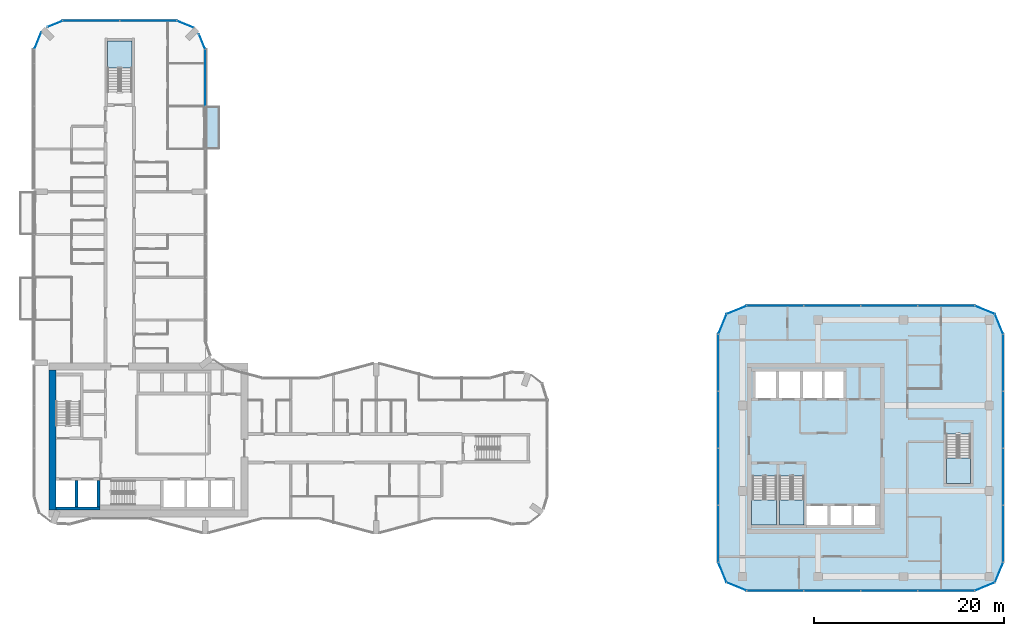
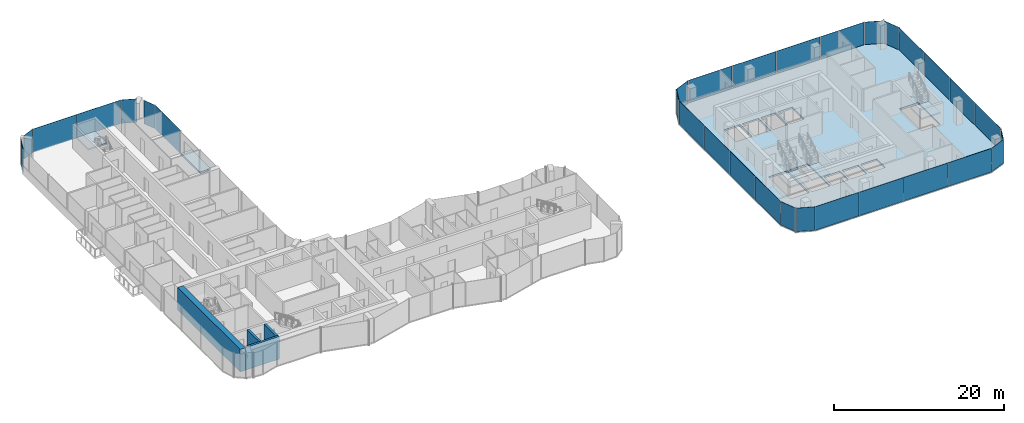
# One storey, part 13 of 24: 31 plates, 6 slabs, 4 walls, 22 elements without a shape of their own.
"""IFC4 building model written with IfcOpenShell, lengths in metres."""

import ifcopenshell
import ifcopenshell.guid

model = None  # the IFC model being written
_history = None  # IfcOwnerHistory: only IFC2X3 demands one
_inside = {}  # id of a spatial element -> (the spatial element, [elements in it])
_under = {}  # id of a project, library or spatial element -> (it, [spatial elements below it])
_declared = {}  # id of a project -> (the project, [libraries it declares])
_typed = {}  # id of a type object -> (the type object, [elements of that type])
_made_of = {}  # id of a material, layer set ... -> (it, [elements and type objects made of it])


def new_model(schema):
    """Start an empty IFC model of exactly this schema.

    Asked for "IFC4X3", IfcOpenShell would pick the latest addendum, in which some entities
    have other attributes; the version numbers below select the first issue.
    IFC2X3 requires an IfcOwnerHistory on every rooted entity: one is made here for all.
    """
    global model, _history
    if schema == "IFC4X3":
        model = ifcopenshell.file(schema_version=(4, 3, 0, 0))
    else:
        model = ifcopenshell.file(schema=schema)
    _inside.clear()
    _under.clear()
    _declared.clear()
    _typed.clear()
    _made_of.clear()
    _history = None
    if model.schema == "IFC2X3":
        org = make("IfcOrganization", Name="unknown")
        user = make(
            "IfcPersonAndOrganization",
            ThePerson=make("IfcPerson", FamilyName="unknown"),
            TheOrganization=org,
        )
        app = make(
            "IfcApplication",
            ApplicationDeveloper=org,
            Version="unknown",
            ApplicationFullName="unknown",
            ApplicationIdentifier="unknown",
        )
        _history = make(
            "IfcOwnerHistory",
            OwningUser=user,
            OwningApplication=app,
            ChangeAction="ADDED",
            CreationDate=0,
        )
    return model


def make(cls, **values):
    """One entity of the class cls with the attributes given. An attribute that is None is left unset."""
    return model.create_entity(
        cls, **{name: value for name, value in values.items() if value is not None}
    )


def rooted(cls, **values):
    """An entity with a GlobalId (a new one), such as an element, a storey or a relation."""
    return make(cls, GlobalId=ifcopenshell.guid.new(), OwnerHistory=_history, **values)


def si_unit(unit_type, name, prefix=None):
    """IfcSIUnit, for example si_unit("LENGTHUNIT", "METRE", prefix="MILLI")."""
    return make("IfcSIUnit", UnitType=unit_type, Prefix=prefix, Name=name)


def assignment(units):
    """IfcUnitAssignment: the units of a project."""
    return None if units is None else make("IfcUnitAssignment", Units=units)


def point(xyz):
    """IfcCartesianPoint."""
    return None if xyz is None else make("IfcCartesianPoint", Coordinates=xyz)


def direction(xyz):
    """IfcDirection."""
    return None if xyz is None else make("IfcDirection", DirectionRatios=xyz)


def frame(location, z_axis=None, x_axis=None):
    """IfcAxis2Placement3D, a coordinate frame: its origin and axes. An axis left out is left unset."""
    return make(
        "IfcAxis2Placement3D",
        Location=point(location),
        Axis=direction(z_axis),
        RefDirection=direction(x_axis),
    )


def frame_2d(location, x_axis=None):
    """IfcAxis2Placement2D, a coordinate frame in the plane: its origin and x axis."""
    return make(
        "IfcAxis2Placement2D", Location=point(location), RefDirection=direction(x_axis)
    )


def origin():
    """The frame at (0, 0, 0) with its axes left unset."""
    return frame((0.0, 0.0, 0.0))


def origin_2d():
    """The frame at (0, 0) in the plane with its x axis left unset."""
    return frame_2d((0.0, 0.0))


def place(relative_to, where):
    """IfcLocalPlacement: puts the frame where relative to a parent placement (None: the world)."""
    return make(
        "IfcLocalPlacement", PlacementRelTo=relative_to, RelativePlacement=where
    )


def context(
    kind, dimensions, precision=None, world=None, true_north=None, identifier=None
):
    """IfcGeometricRepresentationContext, for example the 3D "Model" context."""
    return make(
        "IfcGeometricRepresentationContext",
        ContextIdentifier=identifier,
        ContextType=kind,
        CoordinateSpaceDimension=dimensions,
        Precision=precision,
        WorldCoordinateSystem=world,
        TrueNorth=true_north,
    )


def subcontext(parent, identifier, kind, view, scale=None):
    """IfcGeometricRepresentationSubContext, for example "Body" below "Model"."""
    return make(
        "IfcGeometricRepresentationSubContext",
        ContextIdentifier=identifier,
        ContextType=kind,
        ParentContext=parent,
        TargetScale=scale,
        TargetView=view,
    )


def project(units=None, contexts=None):
    """IfcProject with its units and contexts."""
    return rooted(
        "IfcProject",
        Name="project",
        RepresentationContexts=contexts,
        UnitsInContext=assignment(units),
    )


def spatial(cls, under=None, at=None, **own):
    """A site, building, storey or space (cls), placed at a placement, below another one or the project."""
    s = rooted(cls, ObjectPlacement=at, **own)
    if under is not None:
        _under.setdefault(under.id(), (under, []))[1].append(s)
    return s


def polyline(points):
    """IfcPolyline through the points."""
    return make("IfcPolyline", Points=[point(p) for p in points])


def profile(cls, at=None, kind="AREA", **sizes):
    """A parametric profile (cls). Its sizes go by their IFC names, for example OverallWidth=200.0."""
    return make(cls, ProfileType=kind, Position=at, **sizes)


def rectangle(**sizes):
    """IfcRectangleProfileDef."""
    return profile("IfcRectangleProfileDef", **sizes)


def outline(outer, holes=None, kind="AREA"):
    """IfcArbitraryClosedProfileDef: a profile drawn as a closed curve; with holes, ...WithVoids."""
    if holes is None:
        return make("IfcArbitraryClosedProfileDef", ProfileType=kind, OuterCurve=outer)
    return make(
        "IfcArbitraryProfileDefWithVoids",
        ProfileType=kind,
        OuterCurve=outer,
        InnerCurves=holes,
    )


def extrude(swept, where, along, depth):
    """IfcExtrudedAreaSolid: the profile swept, set in the frame where, extruded along a direction by depth."""
    return make(
        "IfcExtrudedAreaSolid",
        SweptArea=swept,
        Position=where,
        ExtrudedDirection=direction(along),
        Depth=depth,
    )


def shape(context_of_items, identifier, shape_type, items):
    """IfcShapeRepresentation: the items that make up one representation, for example the "Body"."""
    return make(
        "IfcShapeRepresentation",
        ContextOfItems=context_of_items,
        RepresentationIdentifier=identifier,
        RepresentationType=shape_type,
        Items=items,
    )


def material(Name=None, Category=None):
    """IfcMaterial."""
    return make("IfcMaterial", Name=Name, Category=Category)


def layer(
    of_material, thickness, ventilated=None, Name=None, Category=None, Priority=None
):
    """IfcMaterialLayer: one layer of a wall or slab, of a material (None: an air gap)."""
    return make(
        "IfcMaterialLayer",
        Material=of_material,
        LayerThickness=thickness,
        IsVentilated=ventilated,
        Name=Name,
        Category=Category,
        Priority=Priority,
    )


def layer_set(layers, Name=None):
    """IfcMaterialLayerSet."""
    return make("IfcMaterialLayerSet", MaterialLayers=layers, LayerSetName=Name)


def made_of(thing, what):
    """Note that an element or type object is made of a material, layer set ...; save() writes the relation."""
    if what is not None:
        _made_of.setdefault(what.id(), (what, []))[1].append(thing)
    return thing


def type_object(cls, material=None, **own):
    """A type object (cls), such as IfcWallType, which elements share."""
    return made_of(rooted(cls, **own), material)


def element(
    cls,
    number,
    at=None,
    inside=None,
    cuts=None,
    type_object=None,
    material=None,
    context=None,
    identifier="Body",
    shape_type=None,
    held_by="IfcProductDefinitionShape",
    body=None,
    shapes=None,
    **own,
):
    """One element of the class cls, such as IfcWall. Its Tag is "e" and its number.

    at: its placement. inside: the storey or other place that contains it. cuts: it is an
    opening in that element (IfcRelVoidsElement). A single representation is given by context,
    identifier, shape_type and body (its items); several are given by shapes. held_by: the class
    of the entity that holds the representations. save() writes the other relations.
    """
    e = rooted(cls, Tag="e%d" % number, ObjectPlacement=at, **own)
    if body is not None:
        shapes = [shape(context, identifier, shape_type, body)]
    if shapes is not None:
        e.Representation = make(held_by, Representations=shapes)
    if inside is not None:
        _inside.setdefault(inside.id(), (inside, []))[1].append(e)
    if cuts is not None:
        rooted(
            "IfcRelVoidsElement", RelatingBuildingElement=cuts, RelatedOpeningElement=e
        )
    if type_object is not None:
        _typed.setdefault(type_object.id(), (type_object, []))[1].append(e)
    return made_of(e, material)


def aggregate(whole, parts):
    """IfcRelAggregates: a whole, such as a stair, and the parts it consists of."""
    return rooted("IfcRelAggregates", RelatingObject=whole, RelatedObjects=parts)


def save(model, path):
    """Write the relations noted so far, then the file.

    IfcRelAggregates (storeys below a building ...), IfcRelContainedInSpatialStructure (elements
    in a storey), IfcRelDefinesByType, IfcRelAssociatesMaterial and IfcRelDeclares: one each for
    every whole, place, type object, material and project.
    """
    for whole, parts in _under.values():
        aggregate(whole, parts)
    for where, things in _inside.values():
        rooted(
            "IfcRelContainedInSpatialStructure",
            RelatedElements=things,
            RelatingStructure=where,
        )
    for kind, things in _typed.values():
        rooted("IfcRelDefinesByType", RelatedObjects=things, RelatingType=kind)
    for what, things in _made_of.values():
        rooted("IfcRelAssociatesMaterial", RelatedObjects=things, RelatingMaterial=what)
    for by, libraries in _declared.values():
        rooted("IfcRelDeclares", RelatingContext=by, RelatedDefinitions=libraries)
    model.write(path)


model = new_model("IFC4")

# Units and contexts
model_context = context("Model", 3, precision=1e-05, world=origin(), true_north=direction((0.0, 1.0)))
body_context = subcontext(model_context, "Body", "Model", "MODEL_VIEW")
ifc_project = project(units=[si_unit("LENGTHUNIT", "METRE"), si_unit("AREAUNIT", "SQUARE_METRE"), si_unit("VOLUMEUNIT", "CUBIC_METRE"), si_unit("PLANEANGLEUNIT", "RADIAN"), si_unit("MASSUNIT", "GRAM", prefix="KILO")], contexts=[model_context])

# Site, building, storey
site_placement = place(None, origin())
site = spatial("IfcSite", under=ifc_project, at=site_placement, CompositionType="ELEMENT")
building_placement = place(site_placement, origin())
building = spatial("IfcBuilding", under=site, at=building_placement, Name="Plateau Cross Towers", CompositionType="ELEMENT")
storey_placement = place(building_placement, frame((0.0, 0.0, 44.300048828125)))
storey = spatial("IfcBuildingStorey", under=building, at=storey_placement, Name="L10", CompositionType="ELEMENT", Elevation=44.300048828125)

# Slab
ifc_material_1 = material(Name="Concrete C40/50", Category="concrete")
ifc_layer_1 = layer(ifc_material_1, 0.25)
ifc_layer_set_1 = layer_set([ifc_layer_1], Name="Concrete C40/50")
slab_type_1 = type_object("IfcSlabType", Name="Balcony slab 250", PredefinedType="FLOOR", material=ifc_layer_set_1)
slab_1_placement = place(storey_placement, frame((0.0, 0.0, -0.25)))
element("IfcSlab", 1, at=slab_1_placement, inside=storey, type_object=slab_type_1, Name="Balcony slab A-BAL-L10-03", PredefinedType="FLOOR", context=body_context, shape_type="SweptSolid", body=[
    extrude(outline(polyline([(19.5, 40.5), (19.5, 45.0), (18.0, 45.0), (18.0, 40.5), (19.5, 40.5)])), origin(), (0.0, 0.0, 1.0), 0.25),
])

# Curtain wall, plates
ifc_material_2 = material(Name="Dark low-iron glass", Category="glass")
ifc_layer_2 = layer(ifc_material_2, 0.239990234375)
ifc_layer_set_2 = layer_set([ifc_layer_2], Name="Dark low-iron glass")
curtain_wall_type_1 = type_object("IfcCurtainWallType", Name="Curtain wall office unitised CW-F", PredefinedType="NOTDEFINED", material=ifc_layer_set_2)
curtain_wall_1_placement = place(storey_placement, origin())
curtain_wall_1 = element("IfcCurtainWall", 2, at=curtain_wall_1_placement, inside=storey, type_object=curtain_wall_type_1, Name="ENV/B/L10/B750_-60", PredefinedType="NOTDEFINED")
ifc_layer_3 = layer(ifc_material_2, 0.028076171875)
ifc_layer_set_3 = layer_set([ifc_layer_3], Name="Dark low-iron glass")
plate_type_1 = type_object("IfcPlateType", Name="Glass panel 28 office unitised", PredefinedType="CURTAIN_PANEL", material=ifc_layer_set_3)
plate_1_placement = place(storey_placement, frame((78.0, -6.0, -0.1298828125), z_axis=(0.0, 0.0, 1.0), x_axis=(1.0, 0.0, 0.0)))
plate_1 = element("IfcPlate", 3, at=plate_1_placement, type_object=plate_type_1, Name="CW-F panel 1", PredefinedType="CURTAIN_PANEL", context=body_context, shape_type="SweptSolid", body=[
    extrude(rectangle(XDim=5.93994140625, YDim=0.028076171875, at=origin_2d()), origin(), (0.0, 0.0, 1.0), 3.3798828125),
])
plate_2_placement = place(storey_placement, frame((84.0, -6.0, -0.1298828125), z_axis=(0.0, 0.0, 1.0), x_axis=(1.0, 0.0, 0.0)))
plate_2 = element("IfcPlate", 4, at=plate_2_placement, type_object=plate_type_1, Name="CW-F panel 2", PredefinedType="CURTAIN_PANEL", context=body_context, shape_type="SweptSolid", body=[
    extrude(rectangle(XDim=5.93994140625, YDim=0.028076171875, at=origin_2d()), origin(), (0.0, 0.0, 1.0), 3.3798828125),
])
plate_3_placement = place(storey_placement, frame((90.0, -6.0, -0.1298828125), z_axis=(0.0, 0.0, 1.0), x_axis=(1.0, 0.0, 0.0)))
plate_3 = element("IfcPlate", 5, at=plate_3_placement, type_object=plate_type_1, Name="CW-F panel 3", PredefinedType="CURTAIN_PANEL", context=body_context, shape_type="SweptSolid", body=[
    extrude(rectangle(XDim=5.93994140625, YDim=0.028076171875, at=origin_2d()), origin(), (0.0, 0.0, 1.0), 3.3798828125),
])
plate_4_placement = place(storey_placement, frame((96.0, -6.0, -0.1298828125), z_axis=(0.0, 0.0, 1.0), x_axis=(1.0, 0.0, 0.0)))
plate_4 = element("IfcPlate", 6, at=plate_4_placement, type_object=plate_type_1, Name="CW-F panel 4", PredefinedType="CURTAIN_PANEL", context=body_context, shape_type="SweptSolid", body=[
    extrude(rectangle(XDim=5.93994140625, YDim=0.028076171875, at=origin_2d()), origin(), (0.0, 0.0, 1.0), 3.3798828125),
])
aggregate(curtain_wall_1, [plate_1, plate_2, plate_3, plate_4])

# Curtain wall, plate
curtain_wall_2_placement = place(storey_placement, origin())
curtain_wall_2 = element("IfcCurtainWall", 7, at=curtain_wall_2_placement, inside=storey, type_object=curtain_wall_type_1, Name="ENV/B/L10/B990_-60", PredefinedType="NOTDEFINED")
plate_5_placement = place(storey_placement, frame((100.060546875, -5.560546875, -0.1298828125), z_axis=(0.0, 0.0, 1.0), x_axis=(0.923879457699, 0.382683612978, 0.0)))
plate_5 = element("IfcPlate", 8, at=plate_5_placement, type_object=plate_type_1, Name="CW-F panel 1", PredefinedType="CURTAIN_PANEL", context=body_context, shape_type="SweptSolid", body=[
    extrude(rectangle(XDim=2.236083984375, YDim=0.028076171875, at=origin_2d()), origin(), (0.0, 0.0, 1.0), 3.3798828125),
])
aggregate(curtain_wall_2, [plate_5])

curtain_wall_3_placement = place(storey_placement, origin())
curtain_wall_3 = element("IfcCurtainWall", 9, at=curtain_wall_3_placement, inside=storey, type_object=curtain_wall_type_1, Name="ENV/B/L10/B1011_-51", PredefinedType="NOTDEFINED")
plate_6_placement = place(storey_placement, frame((101.560546875, -4.060546875, -0.1298828125), z_axis=(0.0, 0.0, 1.0), x_axis=(0.382683612978, 0.923879457699, 0.0)))
plate_6 = element("IfcPlate", 10, at=plate_6_placement, type_object=plate_type_1, Name="CW-F panel 1", PredefinedType="CURTAIN_PANEL", context=body_context, shape_type="SweptSolid", body=[
    extrude(rectangle(XDim=2.236083984375, YDim=0.028076171875, at=origin_2d()), origin(), (0.0, 0.0, 1.0), 3.3798828125),
])
aggregate(curtain_wall_3, [plate_6])

# Curtain wall, plates
curtain_wall_4_placement = place(storey_placement, origin())
curtain_wall_4 = element("IfcCurtainWall", 11, at=curtain_wall_4_placement, inside=storey, type_object=curtain_wall_type_1, Name="ENV/B/L10/B1020_-30", PredefinedType="NOTDEFINED")
plate_7_placement = place(storey_placement, frame((102.0, 0.0, -0.1298828125), z_axis=(0.0, 0.0, 1.0), x_axis=(0.0, 1.0, 0.0)))
plate_7 = element("IfcPlate", 12, at=plate_7_placement, type_object=plate_type_1, Name="CW-F panel 1", PredefinedType="CURTAIN_PANEL", context=body_context, shape_type="SweptSolid", body=[
    extrude(rectangle(XDim=5.93994140625, YDim=0.028076171875, at=origin_2d()), origin(), (0.0, 0.0, 1.0), 3.3798828125),
])
plate_8_placement = place(storey_placement, frame((102.0, 6.0, -0.1298828125), z_axis=(0.0, 0.0, 1.0), x_axis=(0.0, 1.0, 0.0)))
plate_8 = element("IfcPlate", 13, at=plate_8_placement, type_object=plate_type_1, Name="CW-F panel 2", PredefinedType="CURTAIN_PANEL", context=body_context, shape_type="SweptSolid", body=[
    extrude(rectangle(XDim=5.93994140625, YDim=0.028076171875, at=origin_2d()), origin(), (0.0, 0.0, 1.0), 3.3798828125),
])
plate_9_placement = place(storey_placement, frame((102.0, 12.0, -0.1298828125), z_axis=(0.0, 0.0, 1.0), x_axis=(0.0, 1.0, 0.0)))
plate_9 = element("IfcPlate", 14, at=plate_9_placement, type_object=plate_type_1, Name="CW-F panel 3", PredefinedType="CURTAIN_PANEL", context=body_context, shape_type="SweptSolid", body=[
    extrude(rectangle(XDim=5.93994140625, YDim=0.028076171875, at=origin_2d()), origin(), (0.0, 0.0, 1.0), 3.3798828125),
])
plate_10_placement = place(storey_placement, frame((102.0, 18.0, -0.1298828125), z_axis=(0.0, 0.0, 1.0), x_axis=(0.0, 1.0, 0.0)))
plate_10 = element("IfcPlate", 15, at=plate_10_placement, type_object=plate_type_1, Name="CW-F panel 4", PredefinedType="CURTAIN_PANEL", context=body_context, shape_type="SweptSolid", body=[
    extrude(rectangle(XDim=5.93994140625, YDim=0.028076171875, at=origin_2d()), origin(), (0.0, 0.0, 1.0), 3.3798828125),
])
aggregate(curtain_wall_4, [plate_7, plate_8, plate_9, plate_10])

# Curtain wall, plate
curtain_wall_5_placement = place(storey_placement, origin())
curtain_wall_5 = element("IfcCurtainWall", 16, at=curtain_wall_5_placement, inside=storey, type_object=curtain_wall_type_1, Name="ENV/B/L10/B1020_210", PredefinedType="NOTDEFINED")
plate_11_placement = place(storey_placement, frame((101.560546875, 22.060546875, -0.1298828125), z_axis=(0.0, 0.0, 1.0), x_axis=(-0.382683612978, 0.923879457699, 0.0)))
plate_11 = element("IfcPlate", 17, at=plate_11_placement, type_object=plate_type_1, Name="CW-F panel 1", PredefinedType="CURTAIN_PANEL", context=body_context, shape_type="SweptSolid", body=[
    extrude(rectangle(XDim=2.236083984375, YDim=0.028076171875, at=origin_2d()), origin(), (0.0, 0.0, 1.0), 3.3798828125),
])
aggregate(curtain_wall_5, [plate_11])

curtain_wall_6_placement = place(storey_placement, origin())
curtain_wall_6 = element("IfcCurtainWall", 18, at=curtain_wall_6_placement, inside=storey, type_object=curtain_wall_type_1, Name="ENV/B/L10/B1011_231", PredefinedType="NOTDEFINED")
plate_12_placement = place(storey_placement, frame((100.060546875, 23.560546875, -0.1298828125), z_axis=(0.0, 0.0, 1.0), x_axis=(-0.923879457699, 0.382683612978, 0.0)))
plate_12 = element("IfcPlate", 19, at=plate_12_placement, type_object=plate_type_1, Name="CW-F panel 1", PredefinedType="CURTAIN_PANEL", context=body_context, shape_type="SweptSolid", body=[
    extrude(rectangle(XDim=2.236083984375, YDim=0.028076171875, at=origin_2d()), origin(), (0.0, 0.0, 1.0), 3.3798828125),
])
aggregate(curtain_wall_6, [plate_12])

# Curtain wall, plates
curtain_wall_7_placement = place(storey_placement, origin())
curtain_wall_7 = element("IfcCurtainWall", 20, at=curtain_wall_7_placement, inside=storey, type_object=curtain_wall_type_1, Name="ENV/B/L10/B990_240", PredefinedType="NOTDEFINED")
plate_13_placement = place(storey_placement, frame((96.0, 24.0, -0.1298828125), z_axis=(0.0, 0.0, 1.0), x_axis=(-1.0, 0.0, 0.0)))
plate_13 = element("IfcPlate", 21, at=plate_13_placement, type_object=plate_type_1, Name="CW-F panel 1", PredefinedType="CURTAIN_PANEL", context=body_context, shape_type="SweptSolid", body=[
    extrude(rectangle(XDim=5.93994140625, YDim=0.028076171875, at=origin_2d()), origin(), (0.0, 0.0, 1.0), 3.3798828125),
])
plate_14_placement = place(storey_placement, frame((90.0, 24.0, -0.1298828125), z_axis=(0.0, 0.0, 1.0), x_axis=(-1.0, 0.0, 0.0)))
plate_14 = element("IfcPlate", 22, at=plate_14_placement, type_object=plate_type_1, Name="CW-F panel 2", PredefinedType="CURTAIN_PANEL", context=body_context, shape_type="SweptSolid", body=[
    extrude(rectangle(XDim=5.93994140625, YDim=0.028076171875, at=origin_2d()), origin(), (0.0, 0.0, 1.0), 3.3798828125),
])
plate_15_placement = place(storey_placement, frame((84.0, 24.0, -0.1298828125), z_axis=(0.0, 0.0, 1.0), x_axis=(-1.0, 0.0, 0.0)))
plate_15 = element("IfcPlate", 23, at=plate_15_placement, type_object=plate_type_1, Name="CW-F panel 3", PredefinedType="CURTAIN_PANEL", context=body_context, shape_type="SweptSolid", body=[
    extrude(rectangle(XDim=5.93994140625, YDim=0.028076171875, at=origin_2d()), origin(), (0.0, 0.0, 1.0), 3.3798828125),
])
plate_16_placement = place(storey_placement, frame((78.0, 24.0, -0.1298828125), z_axis=(0.0, 0.0, 1.0), x_axis=(-1.0, 0.0, 0.0)))
plate_16 = element("IfcPlate", 24, at=plate_16_placement, type_object=plate_type_1, Name="CW-F panel 4", PredefinedType="CURTAIN_PANEL", context=body_context, shape_type="SweptSolid", body=[
    extrude(rectangle(XDim=5.93994140625, YDim=0.028076171875, at=origin_2d()), origin(), (0.0, 0.0, 1.0), 3.3798828125),
])
aggregate(curtain_wall_7, [plate_13, plate_14, plate_15, plate_16])

# Curtain wall, plate
curtain_wall_8_placement = place(storey_placement, origin())
curtain_wall_8 = element("IfcCurtainWall", 25, at=curtain_wall_8_placement, inside=storey, type_object=curtain_wall_type_1, Name="ENV/B/L10/B750_240", PredefinedType="NOTDEFINED")
plate_17_placement = place(storey_placement, frame((73.939453125, 23.560546875, -0.1298828125), z_axis=(0.0, 0.0, 1.0), x_axis=(-0.923879457699, -0.382683612978, 0.0)))
plate_17 = element("IfcPlate", 26, at=plate_17_placement, type_object=plate_type_1, Name="CW-F panel 1", PredefinedType="CURTAIN_PANEL", context=body_context, shape_type="SweptSolid", body=[
    extrude(rectangle(XDim=2.236083984375, YDim=0.028076171875, at=origin_2d()), origin(), (0.0, 0.0, 1.0), 3.3798828125),
])
aggregate(curtain_wall_8, [plate_17])

curtain_wall_9_placement = place(storey_placement, origin())
curtain_wall_9 = element("IfcCurtainWall", 27, at=curtain_wall_9_placement, inside=storey, type_object=curtain_wall_type_1, Name="ENV/B/L10/B729_231", PredefinedType="NOTDEFINED")
plate_18_placement = place(storey_placement, frame((72.439453125, 22.060546875, -0.1298828125), z_axis=(0.0, 0.0, 1.0), x_axis=(-0.382683612978, -0.923879457699, 0.0)))
plate_18 = element("IfcPlate", 28, at=plate_18_placement, type_object=plate_type_1, Name="CW-F panel 1", PredefinedType="CURTAIN_PANEL", context=body_context, shape_type="SweptSolid", body=[
    extrude(rectangle(XDim=2.236083984375, YDim=0.028076171875, at=origin_2d()), origin(), (0.0, 0.0, 1.0), 3.3798828125),
])
aggregate(curtain_wall_9, [plate_18])

# Curtain wall, plates
curtain_wall_10_placement = place(storey_placement, origin())
curtain_wall_10 = element("IfcCurtainWall", 29, at=curtain_wall_10_placement, inside=storey, type_object=curtain_wall_type_1, Name="ENV/B/L10/B720_210", PredefinedType="NOTDEFINED")
plate_19_placement = place(storey_placement, frame((72.0, 18.0, -0.1298828125), z_axis=(0.0, 0.0, 1.0), x_axis=(0.0, -1.0, 0.0)))
plate_19 = element("IfcPlate", 30, at=plate_19_placement, type_object=plate_type_1, Name="CW-F panel 1", PredefinedType="CURTAIN_PANEL", context=body_context, shape_type="SweptSolid", body=[
    extrude(rectangle(XDim=5.93994140625, YDim=0.028076171875, at=origin_2d()), origin(), (0.0, 0.0, 1.0), 3.3798828125),
])
plate_20_placement = place(storey_placement, frame((72.0, 12.0, -0.1298828125), z_axis=(0.0, 0.0, 1.0), x_axis=(0.0, -1.0, 0.0)))
plate_20 = element("IfcPlate", 31, at=plate_20_placement, type_object=plate_type_1, Name="CW-F panel 2", PredefinedType="CURTAIN_PANEL", context=body_context, shape_type="SweptSolid", body=[
    extrude(rectangle(XDim=5.93994140625, YDim=0.028076171875, at=origin_2d()), origin(), (0.0, 0.0, 1.0), 3.3798828125),
])
plate_21_placement = place(storey_placement, frame((72.0, 6.0, -0.1298828125), z_axis=(0.0, 0.0, 1.0), x_axis=(0.0, -1.0, 0.0)))
plate_21 = element("IfcPlate", 32, at=plate_21_placement, type_object=plate_type_1, Name="CW-F panel 3", PredefinedType="CURTAIN_PANEL", context=body_context, shape_type="SweptSolid", body=[
    extrude(rectangle(XDim=5.93994140625, YDim=0.028076171875, at=origin_2d()), origin(), (0.0, 0.0, 1.0), 3.3798828125),
])
plate_22_placement = place(storey_placement, frame((72.0, 0.0, -0.1298828125), z_axis=(0.0, 0.0, 1.0), x_axis=(0.0, -1.0, 0.0)))
plate_22 = element("IfcPlate", 33, at=plate_22_placement, type_object=plate_type_1, Name="CW-F panel 4", PredefinedType="CURTAIN_PANEL", context=body_context, shape_type="SweptSolid", body=[
    extrude(rectangle(XDim=5.93994140625, YDim=0.028076171875, at=origin_2d()), origin(), (0.0, 0.0, 1.0), 3.3798828125),
])
aggregate(curtain_wall_10, [plate_19, plate_20, plate_21, plate_22])

# Curtain wall, plate
curtain_wall_11_placement = place(storey_placement, origin())
curtain_wall_11 = element("IfcCurtainWall", 34, at=curtain_wall_11_placement, inside=storey, type_object=curtain_wall_type_1, Name="ENV/B/L10/B720_-30", PredefinedType="NOTDEFINED")
plate_23_placement = place(storey_placement, frame((72.439453125, -4.060546875, -0.1298828125), z_axis=(0.0, 0.0, 1.0), x_axis=(0.382683612978, -0.923879457699, 0.0)))
plate_23 = element("IfcPlate", 35, at=plate_23_placement, type_object=plate_type_1, Name="CW-F panel 1", PredefinedType="CURTAIN_PANEL", context=body_context, shape_type="SweptSolid", body=[
    extrude(rectangle(XDim=2.236083984375, YDim=0.028076171875, at=origin_2d()), origin(), (0.0, 0.0, 1.0), 3.3798828125),
])
aggregate(curtain_wall_11, [plate_23])

curtain_wall_12_placement = place(storey_placement, origin())
curtain_wall_12 = element("IfcCurtainWall", 36, at=curtain_wall_12_placement, inside=storey, type_object=curtain_wall_type_1, Name="ENV/B/L10/B729_-51", PredefinedType="NOTDEFINED")
plate_24_placement = place(storey_placement, frame((73.939453125, -5.560546875, -0.1298828125), z_axis=(0.0, 0.0, 1.0), x_axis=(0.923879457699, -0.382683612978, 0.0)))
plate_24 = element("IfcPlate", 37, at=plate_24_placement, type_object=plate_type_1, Name="CW-F panel 1", PredefinedType="CURTAIN_PANEL", context=body_context, shape_type="SweptSolid", body=[
    extrude(rectangle(XDim=2.236083984375, YDim=0.028076171875, at=origin_2d()), origin(), (0.0, 0.0, 1.0), 3.3798828125),
])
aggregate(curtain_wall_12, [plate_24])

ifc_layer_4 = layer(ifc_material_2, 0.239990234375)
ifc_layer_set_4 = layer_set([ifc_layer_4], Name="Dark low-iron glass")
curtain_wall_type_2 = type_object("IfcCurtainWallType", Name="Curtain wall flush unitised CW-B", PredefinedType="NOTDEFINED", material=ifc_layer_set_4)
curtain_wall_13_placement = place(storey_placement, origin())
curtain_wall_13 = element("IfcCurtainWall", 38, at=curtain_wall_13_placement, inside=storey, type_object=curtain_wall_type_2, Name="ENV/A/L10/A180_450", PredefinedType="NOTDEFINED")
ifc_layer_5 = layer(ifc_material_2, 0.031982421875)
ifc_layer_set_5 = layer_set([ifc_layer_5], Name="Dark low-iron glass")
plate_type_2 = type_object("IfcPlateType", Name="Glass panel 32 flush unitised", PredefinedType="CURTAIN_PANEL", material=ifc_layer_set_5)
plate_25_placement = place(storey_placement, frame((18.0, 48.0048828125, -0.1298828125), z_axis=(0.0, 0.0, 1.0), x_axis=(0.0, 1.0, 0.0)))
plate_25 = element("IfcPlate", 39, at=plate_25_placement, type_object=plate_type_2, Name="CW-B panel 1", PredefinedType="CURTAIN_PANEL", context=body_context, shape_type="SweptSolid", body=[
    extrude(rectangle(XDim=5.929931640625, YDim=0.031982421875, at=origin_2d()), origin(), (0.0, 0.0, 1.0), 3.3798828125),
])
aggregate(curtain_wall_13, [plate_25])

curtain_wall_14_placement = place(storey_placement, origin())
curtain_wall_14 = element("IfcCurtainWall", 40, at=curtain_wall_14_placement, inside=storey, type_object=curtain_wall_type_2, Name="ENV/A/L10/A180_510", PredefinedType="NOTDEFINED")
plate_26_placement = place(storey_placement, frame((17.66943359375, 51.79833984375, -0.1298828125), z_axis=(0.0, 0.0, 1.0), x_axis=(-0.382683612978, 0.923879457699, 0.0)))
plate_26 = element("IfcPlate", 41, at=plate_26_placement, type_object=plate_type_2, Name="CW-B panel 1", PredefinedType="CURTAIN_PANEL", context=body_context, shape_type="SweptSolid", body=[
    extrude(rectangle(XDim=1.668212890625, YDim=0.031982421875, at=origin_2d()), origin(), (0.0, 0.0, 1.0), 3.3798828125),
])
aggregate(curtain_wall_14, [plate_26])

curtain_wall_15_placement = place(storey_placement, origin())
curtain_wall_15 = element("IfcCurtainWall", 42, at=curtain_wall_15_placement, inside=storey, type_object=curtain_wall_type_2, Name="ENV/A/L10/A168_533", PredefinedType="NOTDEFINED")
plate_27_placement = place(storey_placement, frame((15.90283203125, 53.6259765625, -0.1298828125), z_axis=(0.0, 0.0, 1.0), x_axis=(-0.923879457699, 0.382683612978, 0.0)))
plate_27 = element("IfcPlate", 43, at=plate_27_placement, type_object=plate_type_2, Name="CW-B panel 1", PredefinedType="CURTAIN_PANEL", context=body_context, shape_type="SweptSolid", body=[
    extrude(rectangle(XDim=1.894775390625, YDim=0.031982421875, at=origin_2d()), origin(), (0.0, 0.0, 1.0), 3.3798828125),
])
aggregate(curtain_wall_15, [plate_27])

# Curtain wall, plates
curtain_wall_16_placement = place(storey_placement, origin())
curtain_wall_16 = element("IfcCurtainWall", 44, at=curtain_wall_16_placement, inside=storey, type_object=curtain_wall_type_2, Name="ENV/A/L10/A150_540", PredefinedType="NOTDEFINED")
plate_28_placement = place(storey_placement, frame((12.0, 54.0, -0.1298828125), z_axis=(0.0, 0.0, 1.0), x_axis=(-1.0, 0.0, 0.0)))
plate_28 = element("IfcPlate", 45, at=plate_28_placement, type_object=plate_type_2, Name="CW-B panel 1", PredefinedType="CURTAIN_PANEL", context=body_context, shape_type="SweptSolid", body=[
    extrude(rectangle(XDim=5.93994140625, YDim=0.031982421875, at=origin_2d()), origin(), (0.0, 0.0, 1.0), 3.3798828125),
])
plate_29_placement = place(storey_placement, frame((6.0, 54.0, -0.1298828125), z_axis=(0.0, 0.0, 1.0), x_axis=(-1.0, 0.0, 0.0)))
plate_29 = element("IfcPlate", 46, at=plate_29_placement, type_object=plate_type_2, Name="CW-B panel 2", PredefinedType="CURTAIN_PANEL", context=body_context, shape_type="SweptSolid", body=[
    extrude(rectangle(XDim=5.93994140625, YDim=0.031982421875, at=origin_2d()), origin(), (0.0, 0.0, 1.0), 3.3798828125),
])
aggregate(curtain_wall_16, [plate_28, plate_29])

# Curtain wall, plate
curtain_wall_17_placement = place(storey_placement, origin())
curtain_wall_17 = element("IfcCurtainWall", 47, at=curtain_wall_17_placement, inside=storey, type_object=curtain_wall_type_2, Name="ENV/A/L10/A30_540", PredefinedType="NOTDEFINED")
plate_30_placement = place(storey_placement, frame((2.20166015625, 53.66943359375, -0.1298828125), z_axis=(0.0, 0.0, 1.0), x_axis=(-0.923879457699, -0.382683612978, 0.0)))
plate_30 = element("IfcPlate", 48, at=plate_30_placement, type_object=plate_type_2, Name="CW-B panel 1", PredefinedType="CURTAIN_PANEL", context=body_context, shape_type="SweptSolid", body=[
    extrude(rectangle(XDim=1.668212890625, YDim=0.031982421875, at=origin_2d()), origin(), (0.0, 0.0, 1.0), 3.3798828125),
])
aggregate(curtain_wall_17, [plate_30])

curtain_wall_18_placement = place(storey_placement, origin())
curtain_wall_18 = element("IfcCurtainWall", 49, at=curtain_wall_18_placement, inside=storey, type_object=curtain_wall_type_2, Name="ENV/A/L10/A7_528", PredefinedType="NOTDEFINED")
plate_31_placement = place(storey_placement, frame((0.3740234375, 51.90283203125, -0.1298828125), z_axis=(0.0, 0.0, 1.0), x_axis=(-0.382683612978, -0.923879457699, 0.0)))
plate_31 = element("IfcPlate", 50, at=plate_31_placement, type_object=plate_type_2, Name="CW-B panel 1", PredefinedType="CURTAIN_PANEL", context=body_context, shape_type="SweptSolid", body=[
    extrude(rectangle(XDim=1.894775390625, YDim=0.031982421875, at=origin_2d()), origin(), (0.0, 0.0, 1.0), 3.3798828125),
])
aggregate(curtain_wall_18, [plate_31])

# Slab
ifc_layer_6 = layer(ifc_material_1, 0.25)
ifc_layer_set_6 = layer_set([ifc_layer_6], Name="Concrete C40/50")
slab_type_2 = type_object("IfcSlabType", Name="Post-tensioned flat plate slab 250", PredefinedType="FLOOR", material=ifc_layer_set_6)
slab_2_placement = place(storey_placement, frame((0.0, 0.0, -0.25)))
element("IfcSlab", 51, at=slab_2_placement, inside=storey, type_object=slab_type_2, Name="SL-B-L10", PredefinedType="FLOOR", context=body_context, shape_type="SweptSolid", body=[
    extrude(outline(polyline([(72.878662109375, -5.121337890625), (72.0, -3.0), (72.0, 21.0), (72.878662109375, 23.121337890625), (75.0, 24.0), (99.0, 24.0), (101.121337890625, 23.121337890625), (102.0, 21.0), (102.0, -3.0), (101.121337890625, -5.121337890625), (99.0, -6.0), (75.0, -6.0), (72.878662109375, -5.121337890625)]), holes=[polyline([(75.60009765625, 0.89990234375), (78.14990234375, 0.89990234375), (78.14990234375, 6.10009765625), (75.60009765625, 6.10009765625), (75.60009765625, 0.89990234375)]), polyline([(78.10009765625, 14.300048828125), (78.10009765625, 17.10009765625), (75.89990234375, 17.10009765625), (75.89990234375, 14.300048828125), (78.10009765625, 14.300048828125)]), polyline([(83.5, 0.89990234375), (83.5, 2.89990234375), (81.300048828125, 2.89990234375), (81.300048828125, 0.89990234375), (83.5, 0.89990234375)]), polyline([(86.0, 0.89990234375), (86.0, 2.89990234375), (83.800048828125, 2.89990234375), (83.800048828125, 0.89990234375), (86.0, 0.89990234375)]), polyline([(88.5, 0.89990234375), (88.5, 2.89990234375), (86.300048828125, 2.89990234375), (86.300048828125, 0.89990234375), (88.5, 0.89990234375)]), polyline([(78.449951171875, 0.89990234375), (81.0, 0.89990234375), (81.0, 6.10009765625), (78.449951171875, 6.10009765625), (78.449951171875, 0.89990234375)]), polyline([(96.0, 5.300048828125), (98.550048828125, 5.300048828125), (98.550048828125, 10.5), (96.0, 10.5), (96.0, 5.300048828125)]), polyline([(80.60009765625, 14.300048828125), (80.60009765625, 17.10009765625), (78.39990234375, 17.10009765625), (78.39990234375, 14.300048828125), (80.60009765625, 14.300048828125)]), polyline([(80.89990234375, 14.300048828125), (82.89990234375, 14.300048828125), (82.89990234375, 17.10009765625), (80.89990234375, 17.10009765625), (80.89990234375, 14.300048828125)]), polyline([(83.199951171875, 14.300048828125), (85.199951171875, 14.300048828125), (85.199951171875, 17.10009765625), (83.199951171875, 17.10009765625), (83.199951171875, 14.300048828125)])]), origin(), (0.0, 0.0, 1.0), 0.25),
])

# Stair, slab
stair_type = type_object("IfcStairType", Name="ST-TWR", PredefinedType="HALF_TURN_STAIR", material=ifc_material_1)
stair_1_placement = place(storey_placement, origin())
stair_1 = element("IfcStair", 52, at=stair_1_placement, inside=storey, type_object=stair_type, Name="L10 Protected Exit Stair SB-1", PredefinedType="HALF_TURN_STAIR")
ifc_layer_7 = layer(ifc_material_1, 0.199951171875)
ifc_layer_set_7 = layer_set([ifc_layer_7], Name="Concrete C40/50")
slab_type_3 = type_object("IfcSlabType", Name="SL-LANDING", PredefinedType="LANDING", material=ifc_layer_set_7)
slab_3_placement = place(storey_placement, frame((0.0, 0.0, 1.550048828125)))
slab_3 = element("IfcSlab", 53, at=slab_3_placement, type_object=slab_type_3, Name="SB-1 landing 1", PredefinedType="LANDING", context=body_context, shape_type="SweptSolid", body=[
    extrude(outline(polyline([(75.5, 3.580078125), (75.5, 0.89990234375), (78.14990234375, 0.89990234375), (78.14990234375, 3.580078125), (75.5, 3.580078125)])), origin(), (0.0, 0.0, 1.0), 0.199951171875),
])
aggregate(stair_1, [slab_3])

stair_2_placement = place(storey_placement, origin())
stair_2 = element("IfcStair", 54, at=stair_2_placement, inside=storey, type_object=stair_type, Name="L10 Protected Exit Stair SB-2", PredefinedType="HALF_TURN_STAIR")
slab_4_placement = place(storey_placement, frame((0.0, 0.0, 1.550048828125)))
slab_4 = element("IfcSlab", 55, at=slab_4_placement, type_object=slab_type_3, Name="SB-2 landing 1", PredefinedType="LANDING", context=body_context, shape_type="SweptSolid", body=[
    extrude(outline(polyline([(78.449951171875, 3.580078125), (78.449951171875, 0.89990234375), (81.0, 0.89990234375), (81.0, 3.580078125), (78.449951171875, 3.580078125)])), origin(), (0.0, 0.0, 1.0), 0.199951171875),
])
aggregate(stair_2, [slab_4])

stair_3_placement = place(storey_placement, origin())
stair_3 = element("IfcStair", 56, at=stair_3_placement, inside=storey, type_object=stair_type, Name="L10 Protected Exit Stair SB-3", PredefinedType="HALF_TURN_STAIR")
slab_5_placement = place(storey_placement, frame((0.0, 0.0, 1.550048828125)))
slab_5 = element("IfcSlab", 57, at=slab_5_placement, type_object=slab_type_3, Name="SB-3 landing 1", PredefinedType="LANDING", context=body_context, shape_type="SweptSolid", body=[
    extrude(outline(polyline([(96.0, 7.97998046875), (96.0, 5.300048828125), (98.550048828125, 5.300048828125), (98.550048828125, 7.97998046875), (96.0, 7.97998046875)])), origin(), (0.0, 0.0, 1.0), 0.199951171875),
])
aggregate(stair_3, [slab_5])

stair_4_placement = place(storey_placement, origin())
stair_4 = element("IfcStair", 58, at=stair_4_placement, inside=storey, type_object=stair_type, Name="L10 Protected Exit Stair N", PredefinedType="HALF_TURN_STAIR")
slab_6_placement = place(storey_placement, frame((0.0, 0.0, 1.550048828125)))
slab_6 = element("IfcSlab", 59, at=slab_6_placement, type_object=slab_type_3, Name="ES-N landing 1", PredefinedType="LANDING", context=body_context, shape_type="SweptSolid", body=[
    extrude(outline(polyline([(10.27490234375, 49.02001953125), (10.27490234375, 51.85009765625), (7.72509765625, 51.85009765625), (7.72509765625, 49.02001953125), (10.27490234375, 49.02001953125)])), origin(), (0.0, 0.0, 1.0), 0.199951171875),
])
aggregate(stair_4, [slab_6])

# Walls
ifc_material_3 = material(Name="Concrete C60/75", Category="concrete")
ifc_layer_8 = layer(ifc_material_3, 0.300048828125)
ifc_layer_set_8 = layer_set([ifc_layer_8], Name="Concrete C60/75")
wall_type_1 = type_object("IfcWallType", Name="Core shaft wall 300", PredefinedType="SHEAR", material=ifc_layer_set_8)
wall_1_placement = place(storey_placement, frame((2.300048828125, 2.64990234375, 0.0), z_axis=(0.0, 0.0, 1.0), x_axis=(1.0, 0.0, 0.0)))
element("IfcWall", 60, at=wall_1_placement, inside=storey, type_object=wall_type_1, Name="A-sb-back1@L10", PredefinedType="SHEAR", context=body_context, shape_type="SweptSolid", body=[
    extrude(rectangle(XDim=4.599853515625, YDim=0.300048828125, at=frame_2d((2.2998046875, 0.0))), origin(), (0.0, 0.0, 1.0), 3.25),
])
for number, where, z_axis, x_axis, name in (
    (61, (4.449951171875, 2.800048828125, 0.0), (0.0, 0.0, 1.0), (0.0, 1.0, 0.0), "A-sb-v1@L10"),
    (62, (6.75, 2.800048828125, 0.0), (0.0, 0.0, 1.0), (0.0, 1.0, 0.0), "A-sb-v2@L10"),
):
    element("IfcWall", number, at=place(storey_placement, frame(where, z_axis=z_axis, x_axis=x_axis)), inside=storey, type_object=wall_type_1, Name=name, PredefinedType="SHEAR", context=body_context, shape_type="SweptSolid", body=[
        extrude(rectangle(XDim=2.800048828125, YDim=0.300048828125, at=frame_2d((1.39990234375, 0.0))), origin(), (0.0, 0.0, 1.0), 3.25),
    ])
ifc_layer_9 = layer(ifc_material_3, 0.75)
ifc_layer_set_9 = layer_set([ifc_layer_9], Name="Concrete C60/75")
wall_type_2 = type_object("IfcWallType", Name="Core shell wall 750", PredefinedType="SHEAR", material=ifc_layer_set_9)
wall_2_placement = place(storey_placement, frame((1.925048828125, 2.5, 0.0), z_axis=(0.0, 0.0, 1.0), x_axis=(0.0, 1.0, 0.0)))
element("IfcWall", 63, at=wall_2_placement, inside=storey, type_object=wall_type_2, Name="A-core-W@L10", PredefinedType="SHEAR", context=body_context, shape_type="SweptSolid", body=[
    extrude(rectangle(XDim=14.75, YDim=0.75, at=frame_2d((7.375, 0.0))), origin(), (0.0, 0.0, 1.0), 3.25),
])

save(model, "model.ifc")
